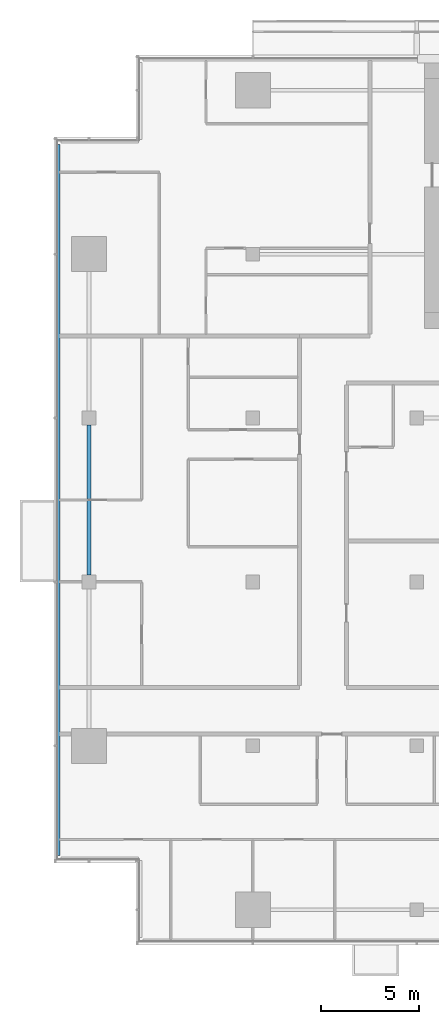
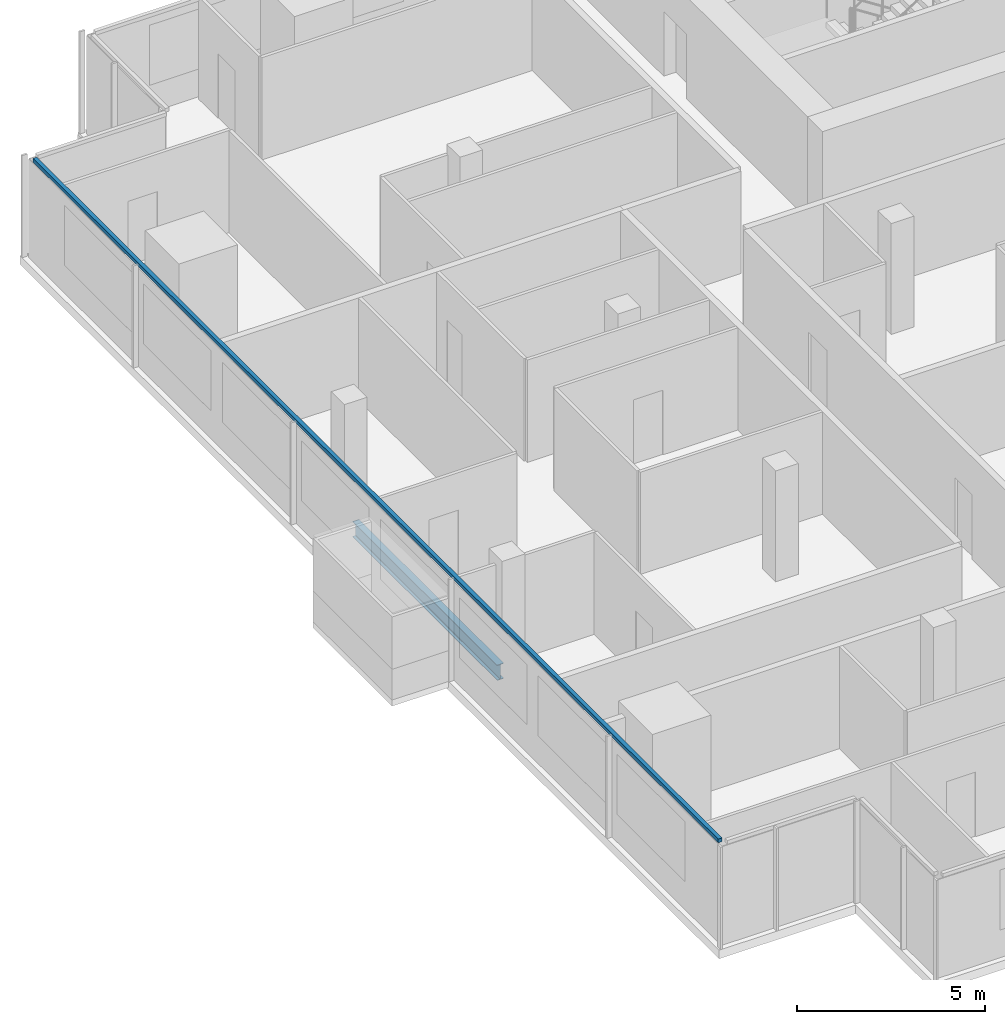
# One storey, part 3 of 28: 1 beam, 1 member, 1 element without a shape of its own.
"""IFC4 building model written with IfcOpenShell, lengths in metres."""

from ifc_helpers import new_model, si_unit, direction, frame, origin, origin_2d, place, context, subcontext, project, spatial, rectangle, i_section, extrude, material, material_profile, profile_set, type_object, element, aggregate, save


model = new_model("IFC4")

# Units and contexts
model_context = context("Model", 3, precision=1e-05, world=origin(), true_north=direction((0.0, 1.0)))
body_context = subcontext(model_context, "Body", "Model", "MODEL_VIEW")
ifc_project = project(units=[si_unit("LENGTHUNIT", "METRE"), si_unit("AREAUNIT", "SQUARE_METRE"), si_unit("VOLUMEUNIT", "CUBIC_METRE"), si_unit("PLANEANGLEUNIT", "RADIAN"), si_unit("MASSUNIT", "GRAM", prefix="KILO")], contexts=[model_context])

# Site, building, storey
site_placement = place(None, origin())
site = spatial("IfcSite", under=ifc_project, at=site_placement, CompositionType="ELEMENT")
building_placement = place(site_placement, origin())
building = spatial("IfcBuilding", under=site, at=building_placement, Name="Saffron Gate Tower", CompositionType="ELEMENT")
storey_placement = place(building_placement, frame((0.0, 0.0, 176.25)))
storey = spatial("IfcBuildingStorey", under=building, at=storey_placement, Name="L43", CompositionType="ELEMENT", Elevation=176.25)

# Beam
ifc_material_1 = material(Name="Structural steel S355", Category="steel")
ifc_material_profile_1 = material_profile(ifc_material_1, i_section(OverallWidth=0.199951171875, OverallDepth=0.5, WebThickness=0.01025390625, FlangeThickness=0.01611328125, FilletRadius=0.02099609375, at=origin_2d()))
ifc_profile_set_1 = profile_set([ifc_material_profile_1], Name="Structural steel S355")
beam_type = type_object("IfcBeamType", Name="B11 IPE 500", PredefinedType="SPANDREL", material=ifc_profile_set_1)
beam_placement = place(storey_placement, frame((49.800048828125, 48.949951171875, -0.530029296875), z_axis=(0.0, 1.0, 0.0), x_axis=(-1.0, 0.0, 0.0)))
element("IfcBeam", 1, at=beam_placement, inside=storey, type_object=beam_type, Name="B11 SPANDREL BEAM", PredefinedType="SPANDREL", context=body_context, shape_type="SweptSolid", body=[
    extrude(i_section(OverallWidth=0.199951171875, OverallDepth=0.5, WebThickness=0.01025390625, FlangeThickness=0.01611328125, FilletRadius=0.02099609375, at=origin_2d()), origin(), (0.0, 0.0, 1.0), 7.699951171875),
])

# Curtain wall, member
ifc_material_2 = material(Name="Aluminium, bronze anodised", Category="aluminium")
curtain_wall_type = type_object("IfcCurtainWallType", Name="CWS2 curtain wall side facades", PredefinedType="NOTDEFINED", material=ifc_material_2)
curtain_wall_placement = place(storey_placement, origin())
curtain_wall = element("IfcCurtainWall", 2, at=curtain_wall_placement, inside=storey, type_object=curtain_wall_type, Name="CWS2 run 10", PredefinedType="NOTDEFINED")
ifc_material_profile_2 = material_profile(ifc_material_2, rectangle(XDim=0.1201171875, YDim=0.1201171875, at=origin_2d()))
ifc_profile_set_2 = profile_set([ifc_material_profile_2], Name="Aluminium, bronze anodised")
member_type = type_object("IfcMemberType", Name="CWS2 head transom", PredefinedType="USERDEFINED", material=ifc_profile_set_2)
member_placement = place(storey_placement, frame((48.248046875, 71.031982421875, 3.260009765625), z_axis=(0.0, -1.0, 0.0), x_axis=(1.0, 0.0, 0.0)))
member = element("IfcMember", 3, at=member_placement, type_object=member_type, Name="CWS2 head transom", ObjectType="TRANSOM", PredefinedType="USERDEFINED", context=body_context, shape_type="SweptSolid", body=[
    extrude(rectangle(XDim=0.1201171875, YDim=0.1201171875, at=origin_2d()), origin(), (0.0, 0.0, 1.0), 36.4638671875),
])
aggregate(curtain_wall, [member])

save(model, "model.ifc")
